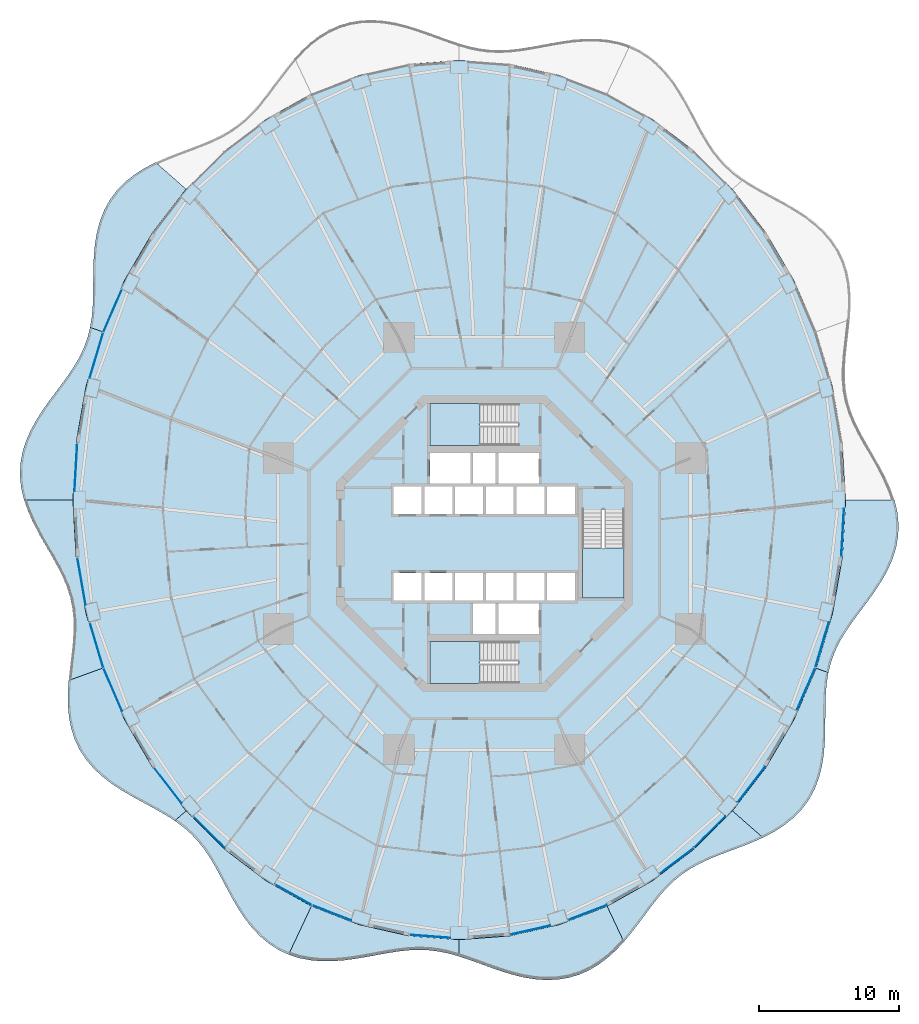
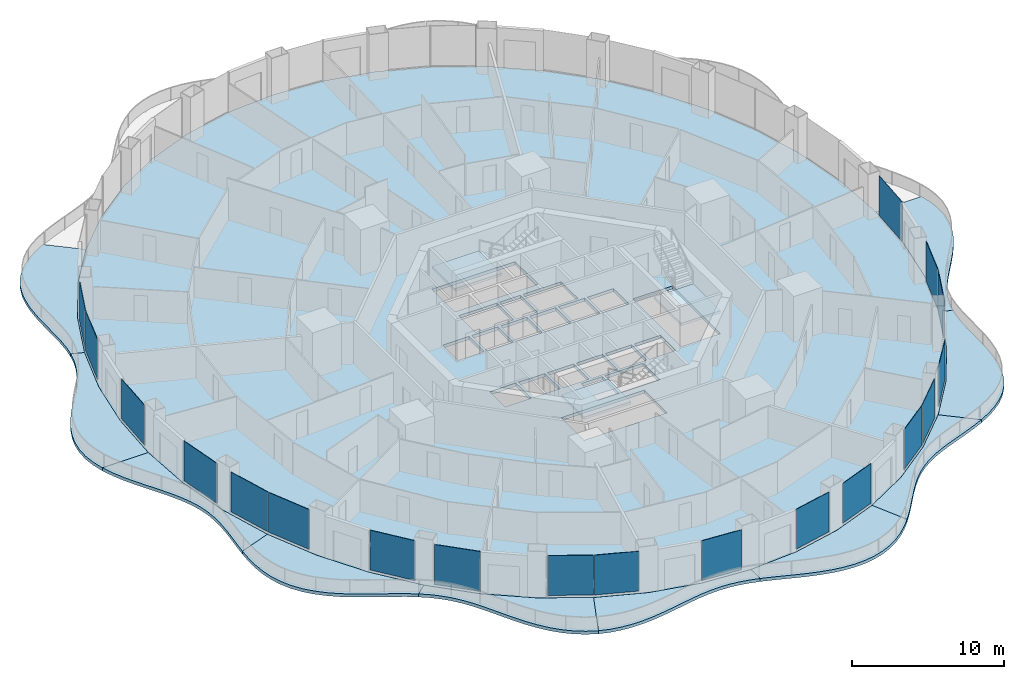
# One storey, part 13 of 23: 19 plates, 14 slabs, 22 elements without a shape of their own.
"""IFC4 building model written with IfcOpenShell, lengths in metres."""

from ifc_helpers import new_model, si_unit, direction, frame, origin, origin_2d, place, context, subcontext, project, spatial, polyline, rectangle, outline, extrude, material, layer, layer_set, type_object, element, aggregate, save


model = new_model("IFC4")

# Units and contexts
model_context = context("Model", 3, precision=1e-05, world=origin(), true_north=direction((0.0, 1.0)))
body_context = subcontext(model_context, "Body", "Model", "MODEL_VIEW")
ifc_project = project(units=[si_unit("LENGTHUNIT", "METRE"), si_unit("AREAUNIT", "SQUARE_METRE"), si_unit("VOLUMEUNIT", "CUBIC_METRE"), si_unit("PLANEANGLEUNIT", "RADIAN"), si_unit("MASSUNIT", "GRAM", prefix="KILO")], contexts=[model_context])

# Site, building, storey
site_placement = place(None, origin())
site = spatial("IfcSite", under=ifc_project, at=site_placement, CompositionType="ELEMENT")
building_placement = place(site_placement, origin())
building = spatial("IfcBuilding", under=site, at=building_placement, Name="Nagisa Residences", CompositionType="ELEMENT")
storey_placement = place(building_placement, frame((0.0, 0.0, 110.300048828125)))
storey = spatial("IfcBuildingStorey", under=building, at=storey_placement, Name="L27", CompositionType="ELEMENT", Elevation=110.300048828125)

# Slabs
ifc_material_1 = material(Name="Concrete C40/50", Category="concrete")
ifc_layer_1 = layer(ifc_material_1, 0.25)
ifc_layer_set_1 = layer_set([ifc_layer_1], Name="BALCONY SLAB 250")
slab_type_1 = type_object("IfcSlabType", Name="BALCONY SLAB 250", PredefinedType="FLOOR", material=ifc_layer_set_1)
slab_1_placement = place(storey_placement, frame((0.0, 0.0, -0.25)))
element("IfcSlab", 1, at=slab_1_placement, inside=storey, type_object=slab_type_1, Name="slab:L27:bal06", PredefinedType="FLOOR", context=body_context, shape_type="SweptSolid", body=[
    extrude(outline(polyline([(-23.5625, 27.317138671875), (-24.347412109375, 26.908203125), (-25.083251953125, 26.439697265625), (-25.7529296875, 25.905029296875), (-26.3427734375, 25.301025390625), (-26.84228515625, 24.629150390625), (-27.246826171875, 23.894775390625), (-27.555908203125, 23.10595703125), (-27.775634765625, 22.273681640625), (-27.91650390625, 21.41064453125), (-27.99365234375, 20.5302734375), (-28.025634765625, 19.6455078125), (-28.0341796875, 18.76806640625), (-28.040771484375, 17.908203125), (-28.067138671875, 17.0732421875), (-28.1328125, 16.267822265625), (-28.25390625, 15.49365234375), (-27.386962890625, 15.177978515625), (-25.78466796875, 18.875244140625), (-23.77197265625, 22.302734375), (-21.38330078125, 25.402099609375), (-23.5625, 27.317138671875)])), origin(), (0.0, 0.0, 1.0), 0.25),
])
slab_2_placement = place(storey_placement, frame((0.0, 0.0, -0.25)))
element("IfcSlab", 2, at=slab_2_placement, inside=storey, type_object=slab_type_1, Name="slab:L27:bal07", PredefinedType="FLOOR", context=body_context, shape_type="SweptSolid", body=[
    extrude(outline(polyline([(-28.25390625, 15.49365234375), (-28.44873046875, 14.725830078125), (-28.7216796875, 13.9853515625), (-29.072509765625, 13.26611328125), (-29.494873046875, 12.559326171875), (-29.975830078125, 11.85693359375), (-30.49658203125, 11.149658203125), (-31.03515625, 10.43017578125), (-31.565673828125, 9.6923828125), (-32.0625, 8.931884765625), (-32.50048828125, 8.147705078125), (-32.856689453125, 7.34033203125), (-33.11328125, 6.51318359375), (-33.258056640625, 5.670654296875), (-33.284423828125, 4.819580078125), (-33.19384765625, 3.96630859375), (-32.994140625, 3.11767578125), (-29.4951171875, 3.11767578125), (-29.258056640625, 7.231201171875), (-28.55126953125, 11.2744140625), (-27.386962890625, 15.177978515625), (-28.25390625, 15.49365234375)])), origin(), (0.0, 0.0, 1.0), 0.25),
])
slab_3_placement = place(storey_placement, frame((0.0, 0.0, -0.25)))
element("IfcSlab", 3, at=slab_3_placement, inside=storey, type_object=slab_type_1, Name="slab:L27:bal08", PredefinedType="FLOOR", context=body_context, shape_type="SweptSolid", body=[
    extrude(outline(polyline([(-32.994140625, 3.11767578125), (-32.69921875, 2.27978515625), (-32.328857421875, 1.45703125), (-31.906494140625, 0.65185546875), (-31.458251953125, -0.13525390625), (-31.010498046875, -0.906005859375), (-30.588134765625, -1.664306640625), (-30.21337890625, -2.416015625), (-29.9033203125, -3.16748046875), (-29.669921875, -3.926513671875), (-29.517822265625, -4.69970703125), (-29.4453125, -5.492919921875), (-29.44384765625, -6.310546875), (-29.49853515625, -7.154052734375), (-29.590087890625, -8.022705078125), (-29.6953125, -8.91259765625), (-29.788818359375, -9.81689453125), (-27.386962890625, -8.942626953125), (-28.55126953125, -5.0390625), (-29.258056640625, -0.995849609375), (-29.4951171875, 3.11767578125), (-32.994140625, 3.11767578125)])), origin(), (0.0, 0.0, 1.0), 0.25),
])
slab_4_placement = place(storey_placement, frame((0.0, 0.0, -0.25)))
element("IfcSlab", 4, at=slab_4_placement, inside=storey, type_object=slab_type_1, Name="slab:L27:bal09", PredefinedType="FLOOR", context=body_context, shape_type="SweptSolid", body=[
    extrude(outline(polyline([(-29.788818359375, -9.81689453125), (-29.844970703125, -10.69873046875), (-29.845703125, -11.575439453125), (-29.77197265625, -12.436279296875), (-29.610107421875, -13.270263671875), (-29.350341796875, -14.066650390625), (-28.98876953125, -14.816650390625), (-28.52734375, -15.513671875), (-27.973388671875, -16.15380859375), (-27.33935546875, -16.737060546875), (-26.640869140625, -17.26611328125), (-25.8974609375, -17.748291015625), (-25.12890625, -18.193359375), (-24.356201171875, -18.61376953125), (-23.59814453125, -19.02392578125), (-22.871337890625, -19.439208984375), (-22.1884765625, -19.874267578125), (-21.38330078125, -19.166748046875), (-23.77197265625, -16.0673828125), (-25.78466796875, -12.639892578125), (-27.386962890625, -8.942626953125), (-29.788818359375, -9.81689453125)])), origin(), (0.0, 0.0, 1.0), 0.25),
])
slab_5_placement = place(storey_placement, frame((0.0, 0.0, -0.25)))
element("IfcSlab", 5, at=slab_5_placement, inside=storey, type_object=slab_type_1, Name="slab:L27:bal10", PredefinedType="FLOOR", context=body_context, shape_type="SweptSolid", body=[
    extrude(outline(polyline([(-22.1884765625, -19.874267578125), (-21.5859375, -20.319580078125), (-21.033935546875, -20.804931640625), (-20.531494140625, -21.336669921875), (-20.073486328125, -21.91796875), (-19.651611328125, -22.54833984375), (-19.2548828125, -23.2236328125), (-18.870361328125, -23.934814453125), (-18.48388671875, -24.67041015625), (-18.081298828125, -25.415283203125), (-17.650146484375, -26.15283203125), (-17.1787109375, -26.86474609375), (-16.658935546875, -27.53271484375), (-16.0849609375, -28.14013671875), (-15.454833984375, -28.672119140625), (-14.76953125, -29.116943359375), (-14.033447265625, -29.467041015625), (-12.3984375, -25.998291015625), (-15.6474609375, -24.175048828125), (-18.65966796875, -21.884765625), (-21.38330078125, -19.166748046875), (-22.1884765625, -19.874267578125)])), origin(), (0.0, 0.0, 1.0), 0.25),
])
slab_6_placement = place(storey_placement, frame((0.0, 0.0, -0.25)))
element("IfcSlab", 6, at=slab_6_placement, inside=storey, type_object=slab_type_1, Name="slab:L27:bal11", PredefinedType="FLOOR", context=body_context, shape_type="SweptSolid", body=[
    extrude(outline(polyline([(-14.033447265625, -29.467041015625), (-13.2822265625, -29.7119140625), (-12.498291015625, -29.8671875), (-11.690673828125, -29.93896484375), (-10.869384765625, -29.9365234375), (-10.043701171875, -29.872802734375), (-9.221923828125, -29.763671875), (-8.411376953125, -29.62646484375), (-7.617431640625, -29.4794921875), (-6.8427734375, -29.340576171875), (-6.08837890625, -29.2265625), (-5.352783203125, -29.1513671875), (-4.632568359375, -29.1259765625), (-3.92333984375, -29.15771484375), (-3.21875, -29.2490234375), (-2.512939453125, -29.39794921875), (-1.800048828125, -29.59814453125), (-1.800048828125, -28.397216796875), (-5.4150390625, -28.127685546875), (-8.968017578125, -27.323486328125), (-12.3984375, -25.998291015625), (-14.033447265625, -29.467041015625)])), origin(), (0.0, 0.0, 1.0), 0.25),
])
slab_7_placement = place(storey_placement, frame((0.0, 0.0, -0.25)))
element("IfcSlab", 7, at=slab_7_placement, inside=storey, type_object=slab_type_1, Name="slab:L27:bal12", PredefinedType="FLOOR", context=body_context, shape_type="SweptSolid", body=[
    extrude(outline(polyline([(-1.800048828125, -29.59814453125), (-1.074462890625, -29.83935546875), (-0.332763671875, -30.107421875), (0.427001953125, -30.385498046875), (1.205322265625, -30.6552734375), (1.99951171875, -30.898193359375), (2.8056640625, -31.09521484375), (3.617919921875, -31.22998046875), (4.428955078125, -31.287841796875), (5.23046875, -31.2578125), (6.01416015625, -31.133056640625), (6.77197265625, -30.911376953125), (7.4970703125, -30.593994140625), (8.184326171875, -30.187255859375), (8.83056640625, -29.70166015625), (9.435302734375, -29.14990234375), (10.0, -28.5478515625), (8.79833984375, -25.998291015625), (5.367919921875, -27.323486328125), (1.81494140625, -28.127685546875), (-1.800048828125, -28.397216796875), (-1.800048828125, -29.59814453125)])), origin(), (0.0, 0.0, 1.0), 0.25),
])
slab_8_placement = place(storey_placement, frame((0.0, 0.0, -0.25)))
element("IfcSlab", 8, at=slab_8_placement, inside=storey, type_object=slab_type_1, Name="slab:L27:bal13", PredefinedType="FLOOR", context=body_context, shape_type="SweptSolid", body=[
    extrude(outline(polyline([(10.0, -28.5478515625), (10.549072265625, -27.888671875), (11.067626953125, -27.21337890625), (11.56591796875, -26.541259765625), (12.055419921875, -25.8896484375), (12.5478515625, -25.27294921875), (13.0556640625, -24.7021484375), (13.58935546875, -24.183837890625), (14.15771484375, -23.72021484375), (14.76708984375, -23.309814453125), (15.420166015625, -22.946533203125), (16.1162109375, -22.62060546875), (16.850341796875, -22.320068359375), (17.614990234375, -22.03076171875), (18.39794921875, -21.73779296875), (19.185791015625, -21.426025390625), (19.96240234375, -21.081787109375), (17.783203125, -19.166748046875), (15.0595703125, -21.884765625), (12.047607421875, -24.175048828125), (8.79833984375, -25.998291015625), (10.0, -28.5478515625)])), origin(), (0.0, 0.0, 1.0), 0.25),
])
slab_9_placement = place(storey_placement, frame((0.0, 0.0, -0.25)))
element("IfcSlab", 9, at=slab_9_placement, inside=storey, type_object=slab_type_1, Name="slab:L27:bal14", PredefinedType="FLOOR", context=body_context, shape_type="SweptSolid", body=[
    extrude(outline(polyline([(19.96240234375, -21.081787109375), (20.747314453125, -20.6728515625), (21.483154296875, -20.204345703125), (22.15283203125, -19.669677734375), (22.74267578125, -19.065673828125), (23.242431640625, -18.393798828125), (23.646728515625, -17.659423828125), (23.9560546875, -16.87060546875), (24.17578125, -16.038330078125), (24.31640625, -15.17529296875), (24.3935546875, -14.294921875), (24.42578125, -13.409912109375), (24.43408203125, -12.53271484375), (24.44091796875, -11.6728515625), (24.46728515625, -10.837890625), (24.532958984375, -10.032470703125), (24.65380859375, -9.258056640625), (23.786865234375, -8.942626953125), (22.1845703125, -12.639892578125), (20.171875, -16.0673828125), (17.783203125, -19.166748046875), (19.96240234375, -21.081787109375)])), origin(), (0.0, 0.0, 1.0), 0.25),
])
slab_10_placement = place(storey_placement, frame((0.0, 0.0, -0.25)))
element("IfcSlab", 10, at=slab_10_placement, inside=storey, type_object=slab_type_1, Name="slab:L27:bal15", PredefinedType="FLOOR", context=body_context, shape_type="SweptSolid", body=[
    extrude(outline(polyline([(24.65380859375, -9.258056640625), (24.848876953125, -8.490478515625), (25.121826171875, -7.75), (25.47265625, -7.03076171875), (25.89501953125, -6.323974609375), (26.375732421875, -5.62158203125), (26.896728515625, -4.914306640625), (27.43505859375, -4.19482421875), (27.9658203125, -3.456787109375), (28.462646484375, -2.696533203125), (28.900390625, -1.912353515625), (29.256591796875, -1.10498046875), (29.513427734375, -0.27783203125), (29.657958984375, 0.564697265625), (29.6845703125, 1.416015625), (29.593994140625, 2.26904296875), (29.39404296875, 3.11767578125), (25.89501953125, 3.11767578125), (25.657958984375, -0.995849609375), (24.951416015625, -5.0390625), (23.786865234375, -8.942626953125), (24.65380859375, -9.258056640625)])), origin(), (0.0, 0.0, 1.0), 0.25),
])

# Curtain wall, plate
ifc_material_2 = material(Name="Concrete-coloured aluminium curtain wall system", Category="concrete")
ifc_layer_2 = layer(ifc_material_2, 0.159912109375)
ifc_layer_set_2 = layer_set([ifc_layer_2], Name="CW1 CURTAIN WALL")
curtain_wall_type = type_object("IfcCurtainWallType", Name="CW1 CURTAIN WALL", PredefinedType="NOTDEFINED", material=ifc_layer_set_2)
curtain_wall_1_placement = place(storey_placement, origin())
curtain_wall_1 = element("IfcCurtainWall", 11, at=curtain_wall_1_placement, inside=storey, type_object=curtain_wall_type, Name="cw:CW1:L27:20", PredefinedType="NOTDEFINED")
ifc_material_3 = material(Name="Clear laminated glass", Category="glass")
ifc_layer_3 = layer(ifc_material_3, 0.028076171875)
ifc_layer_set_3 = layer_set([ifc_layer_3], Name="CW1 GLASS PANEL")
plate_type = type_object("IfcPlateType", Name="CW1 GLASS PANEL", PredefinedType="CURTAIN_PANEL", material=ifc_layer_set_3)
plate_1_placement = place(storey_placement, frame((-26.653564453125, 16.6689453125, 0.14990234375), z_axis=(0.0, 0.0, 1.0), x_axis=(-0.397635934147, -0.917543276295, 0.0)))
plate_1 = element("IfcPlate", 12, at=plate_1_placement, type_object=plate_type, Name="CW1 panel", PredefinedType="CURTAIN_PANEL", context=body_context, shape_type="SweptSolid", body=[
    extrude(rectangle(XDim=3.319580078125, YDim=0.028076171875, at=origin_2d()), origin(), (0.0, 0.0, 1.0), 3.199951171875),
])
aggregate(curtain_wall_1, [plate_1])

curtain_wall_2_placement = place(storey_placement, origin())
curtain_wall_2 = element("IfcCurtainWall", 13, at=curtain_wall_2_placement, inside=storey, type_object=curtain_wall_type, Name="cw:CW1:L27:21", PredefinedType="NOTDEFINED")
plate_2_placement = place(storey_placement, frame((-27.80810546875, 13.486083984375, 0.14990234375), z_axis=(0.0, 0.0, 1.0), x_axis=(-0.285860274038, -0.958271310082, 0.0)))
plate_2 = element("IfcPlate", 14, at=plate_2_placement, type_object=plate_type, Name="CW1 panel", PredefinedType="CURTAIN_PANEL", context=body_context, shape_type="SweptSolid", body=[
    extrude(rectangle(XDim=3.363525390625, YDim=0.028076171875, at=origin_2d()), origin(), (0.0, 0.0, 1.0), 3.199951171875),
])
aggregate(curtain_wall_2, [plate_2])

curtain_wall_3_placement = place(storey_placement, origin())
curtain_wall_3 = element("IfcCurtainWall", 15, at=curtain_wall_3_placement, inside=storey, type_object=curtain_wall_type, Name="cw:CW1:L27:23", PredefinedType="NOTDEFINED")
plate_3_placement = place(storey_placement, frame((-29.27978515625, 5.46435546875, 0.14990234375), z_axis=(0.0, 0.0, 1.0), x_axis=(-0.057503492216, -0.998345305184, 0.0)))
plate_3 = element("IfcPlate", 16, at=plate_3_placement, type_object=plate_type, Name="CW1 panel", PredefinedType="CURTAIN_PANEL", context=body_context, shape_type="SweptSolid", body=[
    extrude(rectangle(XDim=3.410400390625, YDim=0.028076171875, at=origin_2d()), origin(), (0.0, 0.0, 1.0), 3.199951171875),
])
aggregate(curtain_wall_3, [plate_3])

curtain_wall_4_placement = place(storey_placement, origin())
curtain_wall_4 = element("IfcCurtainWall", 17, at=curtain_wall_4_placement, inside=storey, type_object=curtain_wall_type, Name="cw:CW1:L27:25", PredefinedType="NOTDEFINED")
plate_4_placement = place(storey_placement, frame((-28.876708984375, -2.713134765625, 0.14990234375), z_axis=(0.0, 0.0, 1.0), x_axis=(0.172190868898, -0.985063604377, 0.0)))
plate_4 = element("IfcPlate", 18, at=plate_4_placement, type_object=plate_type, Name="CW1 panel", PredefinedType="CURTAIN_PANEL", context=body_context, shape_type="SweptSolid", body=[
    extrude(rectangle(XDim=3.39453125, YDim=0.028076171875, at=origin_2d()), origin(), (0.0, 0.0, 1.0), 3.199951171875),
])
aggregate(curtain_wall_4, [plate_4])

curtain_wall_5_placement = place(storey_placement, origin())
curtain_wall_5 = element("IfcCurtainWall", 19, at=curtain_wall_5_placement, inside=storey, type_object=curtain_wall_type, Name="cw:CW1:L27:26", PredefinedType="NOTDEFINED")
plate_5_placement = place(storey_placement, frame((-27.791015625, -7.30810546875, 0.14990234375), z_axis=(0.0, 0.0, 1.0), x_axis=(0.285860274038, -0.958271310082, 0.0)))
plate_5 = element("IfcPlate", 20, at=plate_5_placement, type_object=plate_type, Name="CW1 panel", PredefinedType="CURTAIN_PANEL", context=body_context, shape_type="SweptSolid", body=[
    extrude(rectangle(XDim=3.363525390625, YDim=0.028076171875, at=origin_2d()), origin(), (0.0, 0.0, 1.0), 3.199951171875),
])
aggregate(curtain_wall_5, [plate_5])

curtain_wall_6_placement = place(storey_placement, origin())
curtain_wall_6 = element("IfcCurtainWall", 21, at=curtain_wall_6_placement, inside=storey, type_object=curtain_wall_type, Name="cw:CW1:L27:27", PredefinedType="NOTDEFINED")
plate_6_placement = place(storey_placement, frame((-26.629638671875, -10.48876953125, 0.14990234375), z_axis=(0.0, 0.0, 1.0), x_axis=(0.397635934147, -0.917543276295, 0.0)))
plate_6 = element("IfcPlate", 22, at=plate_6_placement, type_object=plate_type, Name="CW1 panel", PredefinedType="CURTAIN_PANEL", context=body_context, shape_type="SweptSolid", body=[
    extrude(rectangle(XDim=3.319580078125, YDim=0.028076171875, at=origin_2d()), origin(), (0.0, 0.0, 1.0), 3.199951171875),
])
aggregate(curtain_wall_6, [plate_6])

curtain_wall_7_placement = place(storey_placement, origin())
curtain_wall_7 = element("IfcCurtainWall", 23, at=curtain_wall_7_placement, inside=storey, type_object=curtain_wall_type, Name="cw:CW1:L27:29", PredefinedType="NOTDEFINED")
plate_7_placement = place(storey_placement, frame((-22.6943359375, -17.334716796875, 0.14990234375), z_axis=(0.0, 0.0, 1.0), x_axis=(0.610429828235, -0.792070340816, 0.0)))
plate_7 = element("IfcPlate", 24, at=plate_7_placement, type_object=plate_type, Name="CW1 panel", PredefinedType="CURTAIN_PANEL", context=body_context, shape_type="SweptSolid", body=[
    extrude(rectangle(XDim=3.202880859375, YDim=0.028076171875, at=origin_2d()), origin(), (0.0, 0.0, 1.0), 3.199951171875),
])
aggregate(curtain_wall_7, [plate_7])

curtain_wall_8_placement = place(storey_placement, origin())
curtain_wall_8 = element("IfcCurtainWall", 25, at=curtain_wall_8_placement, inside=storey, type_object=curtain_wall_type, Name="cw:CW1:L27:30", PredefinedType="NOTDEFINED")
plate_8_placement = place(storey_placement, frame((-19.713623046875, -20.719970703125, 0.14990234375), z_axis=(0.0, 0.0, 1.0), x_axis=(0.707835924016, -0.706376885714, 0.0)))
plate_8 = element("IfcPlate", 26, at=plate_8_placement, type_object=plate_type, Name="CW1 panel", PredefinedType="CURTAIN_PANEL", context=body_context, shape_type="SweptSolid", body=[
    extrude(rectangle(XDim=3.137939453125, YDim=0.028076171875, at=origin_2d()), origin(), (0.0, 0.0, 1.0), 3.199951171875),
])
aggregate(curtain_wall_8, [plate_8])

curtain_wall_9_placement = place(storey_placement, origin())
curtain_wall_9 = element("IfcCurtainWall", 27, at=curtain_wall_9_placement, inside=storey, type_object=curtain_wall_type, Name="cw:CW1:L27:32", PredefinedType="NOTDEFINED")
plate_9_placement = place(storey_placement, frame((-13.67431640625, -25.190673828125, 0.14990234375), z_axis=(0.0, 0.0, 1.0), x_axis=(0.872072377523, -0.489376918501, 0.0)))
plate_9 = element("IfcPlate", 28, at=plate_9_placement, type_object=plate_type, Name="CW1 panel", PredefinedType="CURTAIN_PANEL", context=body_context, shape_type="SweptSolid", body=[
    extrude(rectangle(XDim=3.015625, YDim=0.028076171875, at=origin_2d()), origin(), (0.0, 0.0, 1.0), 3.199951171875),
])
aggregate(curtain_wall_9, [plate_9])

curtain_wall_10_placement = place(storey_placement, origin())
curtain_wall_10 = element("IfcCurtainWall", 29, at=curtain_wall_10_placement, inside=storey, type_object=curtain_wall_type, Name="cw:CW1:L27:33", PredefinedType="NOTDEFINED")
plate_10_placement = place(storey_placement, frame((-10.929443359375, -26.47998046875, 0.14990234375), z_axis=(0.0, 0.0, 1.0), x_axis=(0.932825759707, -0.360327770268, 0.0)))
plate_10 = element("IfcPlate", 30, at=plate_10_placement, type_object=plate_type, Name="CW1 panel", PredefinedType="CURTAIN_PANEL", context=body_context, shape_type="SweptSolid", body=[
    extrude(rectangle(XDim=2.967529296875, YDim=0.028076171875, at=origin_2d()), origin(), (0.0, 0.0, 1.0), 3.199951171875),
])
aggregate(curtain_wall_10, [plate_10])

curtain_wall_11_placement = place(storey_placement, origin())
curtain_wall_11 = element("IfcCurtainWall", 31, at=curtain_wall_11_placement, inside=storey, type_object=curtain_wall_type, Name="cw:CW1:L27:35", PredefinedType="NOTDEFINED")
plate_11_placement = place(storey_placement, frame((-3.895751953125, -28.160888671875, 0.14990234375), z_axis=(0.0, 0.0, 1.0), x_axis=(0.997230168512, -0.074377355493, 0.0)))
plate_11 = element("IfcPlate", 32, at=plate_11_placement, type_object=plate_type, Name="CW1 panel", PredefinedType="CURTAIN_PANEL", context=body_context, shape_type="SweptSolid", body=[
    extrude(rectangle(XDim=2.9150390625, YDim=0.028076171875, at=origin_2d()), origin(), (0.0, 0.0, 1.0), 3.199951171875),
])
aggregate(curtain_wall_11, [plate_11])

curtain_wall_12_placement = place(storey_placement, origin())
curtain_wall_12 = element("IfcCurtainWall", 33, at=curtain_wall_12_placement, inside=storey, type_object=curtain_wall_type, Name="cw:CW1:L27:37", PredefinedType="NOTDEFINED")
plate_12_placement = place(storey_placement, frame((3.2861328125, -27.712646484375, 0.14990234375), z_axis=(0.0, 0.0, 1.0), x_axis=(0.975327274089, 0.2207639201, 0.0)))
plate_12 = element("IfcPlate", 34, at=plate_12_placement, type_object=plate_type, Name="CW1 panel", PredefinedType="CURTAIN_PANEL", context=body_context, shape_type="SweptSolid", body=[
    extrude(rectangle(XDim=2.932861328125, YDim=0.028076171875, at=origin_2d()), origin(), (0.0, 0.0, 1.0), 3.199951171875),
])
aggregate(curtain_wall_12, [plate_12])

curtain_wall_13_placement = place(storey_placement, origin())
curtain_wall_13 = element("IfcCurtainWall", 35, at=curtain_wall_13_placement, inside=storey, type_object=curtain_wall_type, Name="cw:CW1:L27:38", PredefinedType="NOTDEFINED")
plate_13_placement = place(storey_placement, frame((7.385498046875, -26.45849609375, 0.14990234375), z_axis=(0.0, 0.0, 1.0), x_axis=(0.932825759707, 0.360327770268, 0.0)))
plate_13 = element("IfcPlate", 36, at=plate_13_placement, type_object=plate_type, Name="CW1 panel", PredefinedType="CURTAIN_PANEL", context=body_context, shape_type="SweptSolid", body=[
    extrude(rectangle(XDim=2.967529296875, YDim=0.028076171875, at=origin_2d()), origin(), (0.0, 0.0, 1.0), 3.199951171875),
])
aggregate(curtain_wall_13, [plate_13])

curtain_wall_14_placement = place(storey_placement, origin())
curtain_wall_14 = element("IfcCurtainWall", 37, at=curtain_wall_14_placement, inside=storey, type_object=curtain_wall_type, Name="cw:CW1:L27:40", PredefinedType="NOTDEFINED")
plate_14_placement = place(storey_placement, frame((13.787841796875, -22.75146484375, 0.14990234375), z_axis=(0.0, 0.0, 1.0), x_axis=(0.79603132756, 0.605255421737, 0.0)))
plate_14 = element("IfcPlate", 38, at=plate_14_placement, type_object=plate_type, Name="CW1 panel", PredefinedType="CURTAIN_PANEL", context=body_context, shape_type="SweptSolid", body=[
    extrude(rectangle(XDim=3.073974609375, YDim=0.028076171875, at=origin_2d()), origin(), (0.0, 0.0, 1.0), 3.199951171875),
])
aggregate(curtain_wall_14, [plate_14])

curtain_wall_15_placement = place(storey_placement, origin())
curtain_wall_15 = element("IfcCurtainWall", 39, at=curtain_wall_15_placement, inside=storey, type_object=curtain_wall_type, Name="cw:CW1:L27:41", PredefinedType="NOTDEFINED")
plate_15_placement = place(storey_placement, frame((16.15625, -20.677490234375, 0.14990234375), z_axis=(0.0, 0.0, 1.0), x_axis=(0.707835924016, 0.706376885714, 0.0)))
plate_15 = element("IfcPlate", 40, at=plate_15_placement, type_object=plate_type, Name="CW1 panel", PredefinedType="CURTAIN_PANEL", context=body_context, shape_type="SweptSolid", body=[
    extrude(rectangle(XDim=3.137939453125, YDim=0.028076171875, at=origin_2d()), origin(), (0.0, 0.0, 1.0), 3.199951171875),
])
aggregate(curtain_wall_15, [plate_15])

curtain_wall_16_placement = place(storey_placement, origin())
curtain_wall_16 = element("IfcCurtainWall", 41, at=curtain_wall_16_placement, inside=storey, type_object=curtain_wall_type, Name="cw:CW1:L27:42", PredefinedType="NOTDEFINED")
plate_16_placement = place(storey_placement, frame((19.130859375, -17.287109375, 0.14990234375), z_axis=(0.0, 0.0, 1.0), x_axis=(0.610429828235, 0.792070340816, 0.0)))
plate_16 = element("IfcPlate", 42, at=plate_16_placement, type_object=plate_type, Name="CW1 panel", PredefinedType="CURTAIN_PANEL", context=body_context, shape_type="SweptSolid", body=[
    extrude(rectangle(XDim=3.202880859375, YDim=0.028076171875, at=origin_2d()), origin(), (0.0, 0.0, 1.0), 3.199951171875),
])
aggregate(curtain_wall_16, [plate_16])

curtain_wall_17_placement = place(storey_placement, origin())
curtain_wall_17 = element("IfcCurtainWall", 43, at=curtain_wall_17_placement, inside=storey, type_object=curtain_wall_type, Name="cw:CW1:L27:44", PredefinedType="NOTDEFINED")
plate_17_placement = place(storey_placement, frame((23.053466796875, -10.43359375, 0.14990234375), z_axis=(0.0, 0.0, 1.0), x_axis=(0.397635934147, 0.917543276295, 0.0)))
plate_17 = element("IfcPlate", 44, at=plate_17_placement, type_object=plate_type, Name="CW1 panel", PredefinedType="CURTAIN_PANEL", context=body_context, shape_type="SweptSolid", body=[
    extrude(rectangle(XDim=3.319580078125, YDim=0.028076171875, at=origin_2d()), origin(), (0.0, 0.0, 1.0), 3.199951171875),
])
aggregate(curtain_wall_17, [plate_17])

curtain_wall_18_placement = place(storey_placement, origin())
curtain_wall_18 = element("IfcCurtainWall", 45, at=curtain_wall_18_placement, inside=storey, type_object=curtain_wall_type, Name="cw:CW1:L27:45", PredefinedType="NOTDEFINED")
plate_18_placement = place(storey_placement, frame((24.2080078125, -7.25048828125, 0.14990234375), z_axis=(0.0, 0.0, 1.0), x_axis=(0.285860274038, 0.958271310082, 0.0)))
plate_18 = element("IfcPlate", 46, at=plate_18_placement, type_object=plate_type, Name="CW1 panel", PredefinedType="CURTAIN_PANEL", context=body_context, shape_type="SweptSolid", body=[
    extrude(rectangle(XDim=3.363525390625, YDim=0.028076171875, at=origin_2d()), origin(), (0.0, 0.0, 1.0), 3.199951171875),
])
aggregate(curtain_wall_18, [plate_18])

curtain_wall_19_placement = place(storey_placement, origin())
curtain_wall_19 = element("IfcCurtainWall", 47, at=curtain_wall_19_placement, inside=storey, type_object=curtain_wall_type, Name="cw:CW1:L27:47", PredefinedType="NOTDEFINED")
plate_19_placement = place(storey_placement, frame((25.6796875, 0.77099609375, 0.14990234375), z_axis=(0.0, 0.0, 1.0), x_axis=(0.057503492216, 0.998345305184, 0.0)))
plate_19 = element("IfcPlate", 48, at=plate_19_placement, type_object=plate_type, Name="CW1 panel", PredefinedType="CURTAIN_PANEL", context=body_context, shape_type="SweptSolid", body=[
    extrude(rectangle(XDim=3.410400390625, YDim=0.028076171875, at=origin_2d()), origin(), (0.0, 0.0, 1.0), 3.199951171875),
])
aggregate(curtain_wall_19, [plate_19])

# Slab
ifc_material_4 = material(Name="Concrete C40", Category="concrete")
ifc_layer_4 = layer(ifc_material_4, 0.260009765625)
ifc_layer_set_4 = layer_set([ifc_layer_4], Name="Floor slab 260")
slab_type_2 = type_object("IfcSlabType", Name="Floor slab 260", PredefinedType="FLOOR", material=ifc_layer_set_4)
slab_11_placement = place(storey_placement, frame((0.0, 0.0, -0.260009765625)))
element("IfcSlab", 49, at=slab_11_placement, inside=storey, type_object=slab_type_2, Name="slab:L27:floor", PredefinedType="FLOOR", context=body_context, shape_type="SweptSolid", body=[
    extrude(outline(polyline([(25.89501953125, 3.11767578125), (25.657958984375, 7.231201171875), (24.951416015625, 11.2744140625), (23.786865234375, 15.177978515625), (22.1845703125, 18.875244140625), (20.171875, 22.302734375), (17.783203125, 25.402099609375), (15.0595703125, 28.1201171875), (12.047607421875, 30.410400390625), (8.79833984375, 32.233642578125), (5.367919921875, 33.558837890625), (1.81494140625, 34.363037109375), (-1.800048828125, 34.6328125), (-5.4150390625, 34.363037109375), (-8.968017578125, 33.558837890625), (-12.3984375, 32.233642578125), (-15.6474609375, 30.410400390625), (-18.65966796875, 28.1201171875), (-21.38330078125, 25.402099609375), (-23.77197265625, 22.302734375), (-25.78466796875, 18.875244140625), (-27.386962890625, 15.177978515625), (-28.55126953125, 11.2744140625), (-29.258056640625, 7.231201171875), (-29.4951171875, 3.11767578125), (-29.258056640625, -0.995849609375), (-28.55126953125, -5.0390625), (-27.386962890625, -8.942626953125), (-25.78466796875, -12.639892578125), (-23.77197265625, -16.0673828125), (-21.38330078125, -19.166748046875), (-18.65966796875, -21.884765625), (-15.6474609375, -24.175048828125), (-12.3984375, -25.998291015625), (-8.968017578125, -27.323486328125), (-5.4150390625, -28.127685546875), (-1.800048828125, -28.397216796875), (1.81494140625, -28.127685546875), (5.367919921875, -27.323486328125), (8.79833984375, -25.998291015625), (12.047607421875, -24.175048828125), (15.0595703125, -21.884765625), (17.783203125, -19.166748046875), (20.171875, -16.0673828125), (22.1845703125, -12.639892578125), (23.786865234375, -8.942626953125), (24.951416015625, -5.0390625), (25.657958984375, -0.995849609375), (25.89501953125, 3.11767578125)]), holes=[polyline([(-4.5, 2.10009765625), (-4.5, 4.10009765625), (-6.5, 4.10009765625), (-6.5, 2.10009765625), (-4.5, 2.10009765625)]), polyline([(-2.300048828125, 2.10009765625), (-2.300048828125, 4.10009765625), (-4.300048828125, 4.10009765625), (-4.300048828125, 2.10009765625), (-2.300048828125, 2.10009765625)]), polyline([(-0.10009765625, 2.10009765625), (-0.10009765625, 4.10009765625), (-2.10009765625, 4.10009765625), (-2.10009765625, 2.10009765625), (-0.10009765625, 2.10009765625)]), polyline([(2.10009765625, 2.10009765625), (2.10009765625, 4.10009765625), (0.10009765625, 4.10009765625), (0.10009765625, 2.10009765625), (2.10009765625, 2.10009765625)]), polyline([(4.300048828125, 2.10009765625), (4.300048828125, 4.10009765625), (2.300048828125, 4.10009765625), (2.300048828125, 2.10009765625), (4.300048828125, 2.10009765625)]), polyline([(6.5, 2.10009765625), (6.5, 4.10009765625), (4.5, 4.10009765625), (4.5, 2.10009765625), (6.5, 2.10009765625)]), polyline([(-4.5, -4.10009765625), (-4.5, -2.10009765625), (-6.5, -2.10009765625), (-6.5, -4.10009765625), (-4.5, -4.10009765625)]), polyline([(-2.300048828125, -4.10009765625), (-2.300048828125, -2.10009765625), (-4.300048828125, -2.10009765625), (-4.300048828125, -4.10009765625), (-2.300048828125, -4.10009765625)]), polyline([(-0.10009765625, -4.10009765625), (-0.10009765625, -2.10009765625), (-2.10009765625, -2.10009765625), (-2.10009765625, -4.10009765625), (-0.10009765625, -4.10009765625)]), polyline([(2.10009765625, -4.10009765625), (2.10009765625, -2.10009765625), (0.10009765625, -2.10009765625), (0.10009765625, -4.10009765625), (2.10009765625, -4.10009765625)]), polyline([(4.300048828125, -4.10009765625), (4.300048828125, -2.10009765625), (2.300048828125, -2.10009765625), (2.300048828125, -4.10009765625), (4.300048828125, -4.10009765625)]), polyline([(6.5, -4.10009765625), (6.5, -2.10009765625), (4.5, -2.10009765625), (4.5, -4.10009765625), (6.5, -4.10009765625)]), polyline([(3.89990234375, 4.300048828125), (3.89990234375, 6.5), (1.0, 6.5), (1.0, 4.300048828125), (3.89990234375, 4.300048828125)]), polyline([(3.89990234375, -6.5), (3.89990234375, -4.300048828125), (1.0, -4.300048828125), (1.0, -6.5), (3.89990234375, -6.5)]), polyline([(-1.0, 4.300048828125), (-1.0, 6.5), (-3.89990234375, 6.5), (-3.89990234375, 4.300048828125), (-1.0, 4.300048828125)]), polyline([(0.800048828125, 4.300048828125), (0.800048828125, 6.5), (-0.800048828125, 6.5), (-0.800048828125, 4.300048828125), (0.800048828125, 4.300048828125)]), polyline([(0.800048828125, -6.5), (0.800048828125, -4.300048828125), (-0.800048828125, -4.300048828125), (-0.800048828125, -6.5), (0.800048828125, -6.5)]), polyline([(10.024658203125, -3.89990234375), (7.024658203125, -3.89990234375), (7.024658203125, 2.425048828125), (10.024658203125, 2.425048828125), (10.024658203125, -3.89990234375)]), polyline([(-3.89990234375, 7.024658203125), (-3.89990234375, 10.024658203125), (2.425048828125, 10.024658203125), (2.425048828125, 7.024658203125), (-3.89990234375, 7.024658203125)]), polyline([(-3.89990234375, -10.024658203125), (-3.89990234375, -7.024658203125), (2.425048828125, -7.024658203125), (2.425048828125, -10.024658203125), (-3.89990234375, -10.024658203125)])]), origin(), (0.0, 0.0, 1.0), 0.260009765625),
])

# Stair, slab
ifc_material_5 = material(Name="Concrete C60", Category="concrete")
stair_type = type_object("IfcStairType", Name="Exit stair", PredefinedType="HALF_TURN_STAIR", material=ifc_material_5)
stair_1_placement = place(storey_placement, origin())
stair_1 = element("IfcStair", 50, at=stair_1_placement, inside=storey, type_object=stair_type, Name="L27 Exit stair E", PredefinedType="HALF_TURN_STAIR")
ifc_material_6 = material(Name="Concrete C60", Category="concrete")
ifc_layer_5 = layer(ifc_material_6, 0.199951171875)
ifc_layer_set_5 = layer_set([ifc_layer_5], Name="Stair landing")
slab_type_3 = type_object("IfcSlabType", Name="Stair landing", PredefinedType="LANDING", material=ifc_layer_set_5)
slab_12_placement = place(storey_placement, frame((0.0, 0.0, 1.64990234375)))
slab_12 = element("IfcSlab", 51, at=slab_12_placement, type_object=slab_type_3, Name="ST-E landing 1", PredefinedType="LANDING", context=body_context, shape_type="SweptSolid", body=[
    extrude(outline(polyline([(7.024658203125, -0.324951171875), (7.024658203125, -3.89990234375), (10.024658203125, -3.89990234375), (10.024658203125, -0.324951171875), (7.024658203125, -0.324951171875)])), origin(), (0.0, 0.0, 1.0), 0.199951171875),
])
aggregate(stair_1, [slab_12])

stair_2_placement = place(storey_placement, origin())
stair_2 = element("IfcStair", 52, at=stair_2_placement, inside=storey, type_object=stair_type, Name="L27 Exit stair N", PredefinedType="HALF_TURN_STAIR")
slab_13_placement = place(storey_placement, frame((0.0, 0.0, 1.64990234375)))
slab_13 = element("IfcSlab", 53, at=slab_13_placement, type_object=slab_type_3, Name="ST-N landing 1", PredefinedType="LANDING", context=body_context, shape_type="SweptSolid", body=[
    extrude(outline(polyline([(-0.324951171875, 10.024658203125), (-3.89990234375, 10.024658203125), (-3.89990234375, 7.024658203125), (-0.324951171875, 7.024658203125), (-0.324951171875, 10.024658203125)])), origin(), (0.0, 0.0, 1.0), 0.199951171875),
])
aggregate(stair_2, [slab_13])

stair_3_placement = place(storey_placement, origin())
stair_3 = element("IfcStair", 54, at=stair_3_placement, inside=storey, type_object=stair_type, Name="L27 Exit stair S", PredefinedType="HALF_TURN_STAIR")
slab_14_placement = place(storey_placement, frame((0.0, 0.0, 1.64990234375)))
slab_14 = element("IfcSlab", 55, at=slab_14_placement, type_object=slab_type_3, Name="ST-S landing 1", PredefinedType="LANDING", context=body_context, shape_type="SweptSolid", body=[
    extrude(outline(polyline([(-0.324951171875, -7.024658203125), (-3.89990234375, -7.024658203125), (-3.89990234375, -10.024658203125), (-0.324951171875, -10.024658203125), (-0.324951171875, -7.024658203125)])), origin(), (0.0, 0.0, 1.0), 0.199951171875),
])
aggregate(stair_3, [slab_14])

save(model, "model.ifc")
